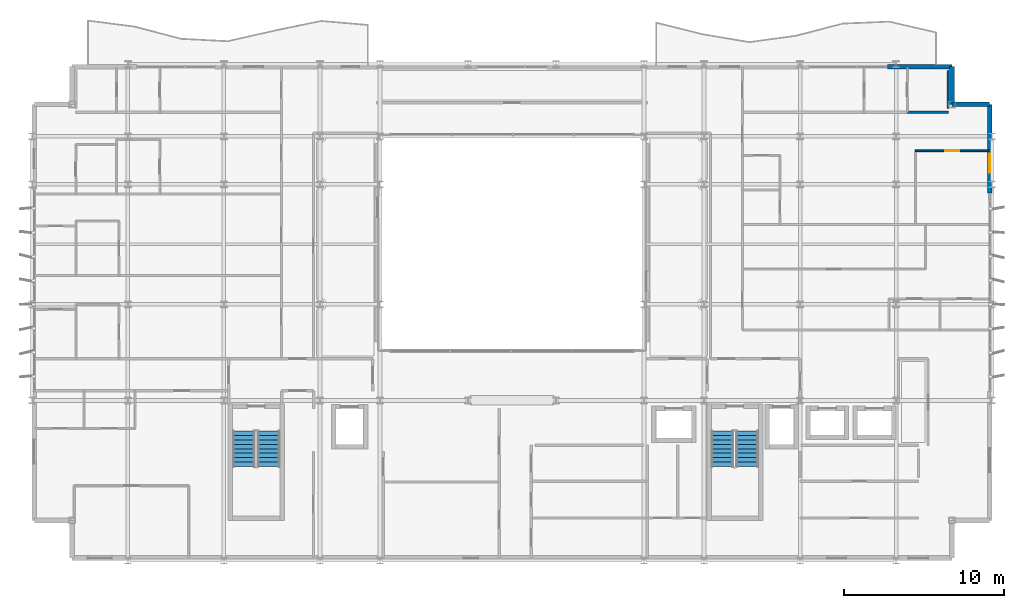
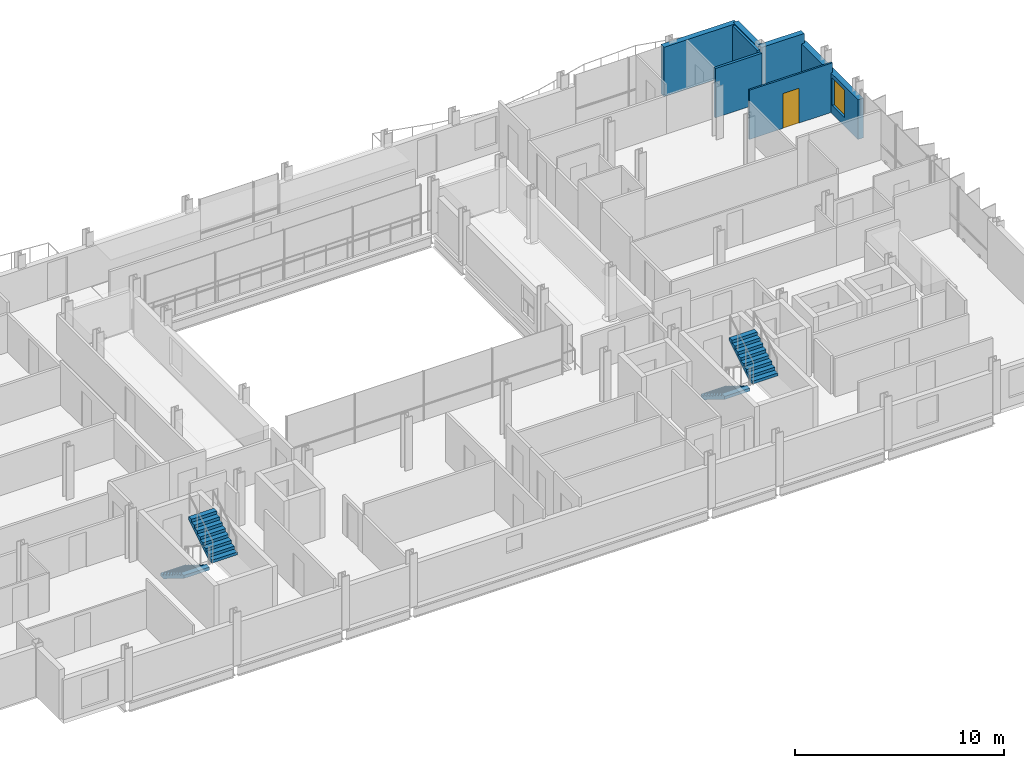
# One storey, part 34 of 39: 7 walls, 4 stair flights, 1 door, 1 window, 2 openings, 2 elements without a shape of their own.
"""IFC4 building model written with IfcOpenShell, lengths in metres."""

from ifc_helpers import new_model, si_unit, direction, frame, frame_2d, origin, place, context, subcontext, project, spatial, polyline, rectangle, outline, extrude, material, layer, layer_set, type_object, element, fill, aggregate, save


model = new_model("IFC4")

# Units and contexts
model_context = context("Model", 3, precision=1e-05, world=origin(), true_north=direction((0.0, 1.0)))
body_context = subcontext(model_context, "Body", "Model", "MODEL_VIEW")
ifc_project = project(units=[si_unit("LENGTHUNIT", "METRE"), si_unit("AREAUNIT", "SQUARE_METRE"), si_unit("VOLUMEUNIT", "CUBIC_METRE"), si_unit("PLANEANGLEUNIT", "RADIAN"), si_unit("MASSUNIT", "GRAM", prefix="KILO")], contexts=[model_context])

# Site, building, storey
site_placement = place(None, origin())
site = spatial("IfcSite", under=ifc_project, at=site_placement, CompositionType="ELEMENT")
building_placement = place(site_placement, origin())
building = spatial("IfcBuilding", under=site, at=building_placement, Name="Brevholm Reach", CompositionType="ELEMENT")
storey_placement = place(building_placement, frame((0.0, 0.0, 154.199951171875)))
storey = spatial("IfcBuildingStorey", under=building, at=storey_placement, Name="L46", CompositionType="ELEMENT", Elevation=154.199951171875)

# Walls
ifc_material_1 = material(Name="Concrete C40/50", Category="concrete")
ifc_layer_1 = layer(ifc_material_1, 0.300048828125)
ifc_layer_set_1 = layer_set([ifc_layer_1], Name="Concrete C40/50")
wall_type_1 = type_object("IfcWallType", Name="WAL-EXT-300", PredefinedType="STANDARD", material=ifc_layer_set_1)
for number, where, z_axis, x_axis, name in (
    (1, (59.85009765625, 28.5, 0.0), (0.0, 0.0, 1.0), (-1.0, 0.0, 0.0), "L46 Facade Wall WAL-L46-CNE1"),
    (2, (57.5, 28.5, 0.0), (0.0, 0.0, 1.0), (0.0, 1.0, 0.0), "L46 Facade Wall WAL-L46-CNE2"),
):
    element("IfcWall", number, at=place(storey_placement, frame(where, z_axis=z_axis, x_axis=x_axis)), inside=storey, type_object=wall_type_1, Name=name, PredefinedType="STANDARD", context=body_context, shape_type="SweptSolid", body=[
        extrude(rectangle(XDim=2.35009765625, YDim=0.300048828125, at=frame_2d((1.175048828125, 0.0))), origin(), (0.0, 0.0, 1.0), 2.880126953125),
    ])

# Wall, opening, window
wall_1_placement = place(storey_placement, frame((59.85009765625, 22.949951171875, 0.0), z_axis=(0.0, 0.0, 1.0), x_axis=(0.0, 1.0, 0.0)))
wall_1 = element("IfcWall", 3, at=wall_1_placement, inside=storey, type_object=wall_type_1, Name="L46 Facade Wall WAL-L46-E-N", PredefinedType="STANDARD", context=body_context, shape_type="SweptSolid", body=[
    extrude(rectangle(XDim=5.550048828125, YDim=0.300048828125, at=frame_2d((2.77490234375, 0.0))), origin(), (0.0, 0.0, 1.0), 2.322021484375),
])
opening_1_placement = place(wall_1_placement, frame((1.27001953125, 0.0, 0.501953125)))
opening_1 = element("IfcOpeningElement", 4, at=opening_1_placement, cuts=wall_1, Name="Opening WN-08", PredefinedType="OPENING", context=body_context, shape_type="SweptSolid", body=[
    extrude(rectangle(XDim=1.199951171875, YDim=1.60009765625, at=frame_2d((0.60009765625, 0.800048828125))), frame((0.0, 0.159912109375, 0.0), z_axis=(0.0, -1.0, 0.0), x_axis=(1.0, 0.0, 0.0)), (0.0, 0.0, 1.0), 0.320068359375),
])
ifc_material_2 = material(Name="Dark Anodised Aluminium and Solar-Control IGU Glass", Category="aluminium")
window_type = type_object("IfcWindowType", Name="WIN-RES-1200", PartitioningType="SINGLE_PANEL", PredefinedType="WINDOW", material=ifc_material_2)
window_placement = place(opening_1_placement, origin())
window = element("IfcWindow", 5, at=window_placement, inside=storey, type_object=window_type, Name="L46 Window WIN-L46-EN-1", OverallHeight=1.60009765625, OverallWidth=1.199951171875, PartitioningType="SINGLE_PANEL", PredefinedType="WINDOW", context=body_context, shape_type="SweptSolid", body=[
    extrude(rectangle(XDim=1.199951171875, YDim=1.60009765625, at=frame_2d((0.60009765625, 0.800048828125))), frame((0.0, 0.030029296875, 0.0), z_axis=(0.0, -1.0, 0.0), x_axis=(1.0, 0.0, 0.0)), (0.0, 0.0, 1.0), 0.06005859375),
])
fill(opening_1, window)

# Wall
wall_2_placement = place(storey_placement, frame((53.449951171875, 30.85009765625, 0.0), z_axis=(0.0, 0.0, 1.0), x_axis=(1.0, 0.0, 0.0)))
element("IfcWall", 6, at=wall_2_placement, inside=storey, type_object=wall_type_1, Name="L46 Facade Wall WAL-L46-NP-E0", PredefinedType="STANDARD", context=body_context, shape_type="SweptSolid", body=[
    extrude(rectangle(XDim=4.050048828125, YDim=0.300048828125, at=frame_2d((2.02490234375, 0.0))), origin(), (0.0, 0.0, 1.0), 2.880126953125),
])

# Wall, opening, door
ifc_material_3 = material(Name="Moisture-Resistant Acoustic Gypsum Stud Partition 100 mm", Category="gypsum")
ifc_layer_2 = layer(ifc_material_3, 0.10009765625)
ifc_layer_set_2 = layer_set([ifc_layer_2], Name="Moisture-Resistant Acoustic Gypsum Stud Partition 100 mm")
wall_type_2 = type_object("IfcWallType", Name="WAL-PRT-100", PredefinedType="PARTITIONING", material=ifc_layer_set_2)
wall_3_placement = place(storey_placement, frame((55.199951171875, 25.60009765625, 0.0), z_axis=(0.0, 0.0, 1.0), x_axis=(1.0, 0.0, 0.0)))
wall_3 = element("IfcWall", 7, at=wall_3_placement, inside=storey, type_object=wall_type_2, Name="L46 Internal Partition 109", PredefinedType="PARTITIONING", context=body_context, shape_type="SweptSolid", body=[
    extrude(rectangle(XDim=4.60009765625, YDim=0.10009765625, at=frame_2d((2.300048828125, 0.0))), origin(), (0.0, 0.0, 1.0), 2.880126953125),
])
opening_2_placement = place(wall_3_placement, frame((1.860107421875, 0.0, 0.0)))
opening_2 = element("IfcOpeningElement", 8, at=opening_2_placement, cuts=wall_3, Name="Opening ID-01", PredefinedType="OPENING", context=body_context, shape_type="SweptSolid", body=[
    extrude(rectangle(XDim=0.8798828125, YDim=2.0400390625, at=frame_2d((0.43994140625, 1.02001953125))), frame((0.0, 0.06005859375, 0.0), z_axis=(0.0, -1.0, 0.0), x_axis=(1.0, 0.0, 0.0)), (0.0, 0.0, 1.0), 0.1201171875),
])
ifc_material_4 = material(Name="Lacquered Ash Solid-Core Acoustic Internal Door", Category="timber")
door_type = type_object("IfcDoorType", Name="DOR-INT-880", OperationType="NOTDEFINED", PredefinedType="DOOR", material=ifc_material_4)
door_placement = place(opening_2_placement, origin())
door = element("IfcDoor", 9, at=door_placement, inside=storey, type_object=door_type, Name="L46 Internal Door 045", OperationType="SINGLE_SWING_LEFT", OverallHeight=2.0400390625, OverallWidth=0.8798828125, PredefinedType="DOOR", context=body_context, shape_type="SweptSolid", body=[
    extrude(rectangle(XDim=0.8798828125, YDim=2.0400390625, at=frame_2d((0.43994140625, 1.02001953125))), frame((0.0, 0.02490234375, 0.0), z_axis=(0.0, -1.0, 0.0), x_axis=(1.0, 0.0, 0.0)), (0.0, 0.0, 1.0), 0.050048828125),
])
fill(opening_2, door)

# Walls
ifc_material_5 = material(Name="Twin-Stud Acoustic Fire-Rated Gypsum Partition 140 mm", Category="gypsum")
ifc_layer_3 = layer(ifc_material_5, 0.139892578125)
ifc_layer_set_3 = layer_set([ifc_layer_3], Name="Twin-Stud Acoustic Fire-Rated Gypsum Partition 140 mm")
wall_type_3 = type_object("IfcWallType", Name="WAL-PRT-140", PredefinedType="PARTITIONING", material=ifc_layer_set_3)
wall_4_placement = place(storey_placement, frame((54.688720703125, 28.0, 0.0), z_axis=(0.0, 0.0, 1.0), x_axis=(1.0, 0.0, 0.0)))
element("IfcWall", 10, at=wall_4_placement, inside=storey, type_object=wall_type_3, Name="L46 Internal Partition 111", PredefinedType="PARTITIONING", context=body_context, shape_type="SweptSolid", body=[
    extrude(rectangle(XDim=2.572509765625, YDim=0.139892578125, at=frame_2d((1.2861328125, 0.0))), origin(), (0.0, 0.0, 1.0), 2.880126953125),
])
wall_5_placement = place(storey_placement, frame((57.25, 28.239990234375, 0.0), z_axis=(0.0, 0.0, 1.0), x_axis=(0.0, 1.0, 0.0)))
element("IfcWall", 11, at=wall_5_placement, inside=storey, type_object=wall_type_3, Name="L46 Internal Partition 123", PredefinedType="PARTITIONING", context=body_context, shape_type="SweptSolid", body=[
    extrude(rectangle(XDim=2.3701171875, YDim=0.139892578125, at=frame_2d((1.18505859375, 0.0))), origin(), (0.0, 0.0, 1.0), 2.880126953125),
])

# Stair, stair flights
ifc_material_6 = material(Name="Precast Concrete C40/50", Category="concrete")
stair_type = type_object("IfcStairType", Name="STR-ESC-1400", PredefinedType="DOUBLE_RETURN_STAIR", material=ifc_material_6)
stair_1_placement = place(storey_placement, origin())
stair_1 = element("IfcStair", 12, at=stair_1_placement, inside=storey, type_object=stair_type, Name="L46 ST-1", PredefinedType="DOUBLE_RETURN_STAIR")
ifc_material_7 = material(Name="Precast Concrete C40/50", Category="concrete")
ifc_layer_4 = layer(ifc_material_7, 0.18505859375)
ifc_layer_set_4 = layer_set([ifc_layer_4], Name="Precast Concrete C40/50")
stair_flight_type = type_object("IfcStairFlightType", Name="STF-PRC-185", PredefinedType="STRAIGHT", material=ifc_layer_set_4)
stair_flight_1_placement = place(storey_placement, frame((13.25, 8.10009765625, 0.0), z_axis=(0.0, 0.0, 1.0), x_axis=(0.0, -1.0, 0.0)))
stair_flight_1 = element("IfcStairFlight", 13, at=stair_flight_1_placement, type_object=stair_flight_type, Name="ST-1 flight 1", NumberOfRisers=9, NumberOfTreads=8, PredefinedType="STRAIGHT", RiserHeight=0.172222222, TreadLength=0.28, context=body_context, shape_type="SweptSolid", body=[
    extrude(outline(polyline([(0.0, 0.0), (0.0, 0.172119140625), (0.280029296875, 0.172119140625), (0.280029296875, 0.344482421875), (0.56005859375, 0.344482421875), (0.56005859375, 0.5166015625), (0.840087890625, 0.5166015625), (0.840087890625, 0.68896484375), (1.1201171875, 0.68896484375), (1.1201171875, 0.861083984375), (1.39990234375, 0.861083984375), (1.39990234375, 1.033447265625), (1.679931640625, 1.033447265625), (1.679931640625, 1.20556640625), (1.9599609375, 1.20556640625), (1.9599609375, 1.377685546875), (2.239990234375, 1.377685546875), (2.239990234375, 1.550048828125), (2.239990234375, 1.201904296875), (0.2861328125, 0.0), (0.0, 0.0)])), frame((0.0, 0.699951171875, 0.0), z_axis=(0.0, -1.0, 0.0), x_axis=(1.0, 0.0, 0.0)), (0.0, 0.0, 1.0), 1.39990234375),
])
stair_flight_2_placement = place(storey_placement, frame((14.800048828125, 5.860107421875, 1.550048828125), z_axis=(0.0, 0.0, 1.0), x_axis=(0.0, 1.0, 0.0)))
stair_flight_2 = element("IfcStairFlight", 14, at=stair_flight_2_placement, type_object=stair_flight_type, Name="ST-1 flight 2", NumberOfRisers=9, NumberOfTreads=8, PredefinedType="STRAIGHT", RiserHeight=0.172222222, TreadLength=0.28, context=body_context, shape_type="SweptSolid", body=[
    extrude(outline(polyline([(0.0, 0.0), (0.0, 0.172119140625), (0.280029296875, 0.172119140625), (0.280029296875, 0.344482421875), (0.56005859375, 0.344482421875), (0.56005859375, 0.5166015625), (0.840087890625, 0.5166015625), (0.840087890625, 0.68896484375), (1.1201171875, 0.68896484375), (1.1201171875, 0.861083984375), (1.39990234375, 0.861083984375), (1.39990234375, 1.033447265625), (1.679931640625, 1.033447265625), (1.679931640625, 1.20556640625), (1.9599609375, 1.20556640625), (1.9599609375, 1.377685546875), (2.239990234375, 1.377685546875), (2.239990234375, 1.550048828125), (2.239990234375, 1.201904296875), (0.2861328125, 0.0), (0.0, 0.0)])), frame((0.0, 0.699951171875, 0.0), z_axis=(0.0, -1.0, 0.0), x_axis=(1.0, 0.0, 0.0)), (0.0, 0.0, 1.0), 1.39990234375),
])
aggregate(stair_1, [stair_flight_1, stair_flight_2])

stair_2_placement = place(storey_placement, origin())
stair_2 = element("IfcStair", 15, at=stair_2_placement, inside=storey, type_object=stair_type, Name="L46 ST-2", PredefinedType="DOUBLE_RETURN_STAIR")
stair_flight_3_placement = place(storey_placement, frame((43.14990234375, 8.10009765625, 0.0), z_axis=(0.0, 0.0, 1.0), x_axis=(0.0, -1.0, 0.0)))
stair_flight_3 = element("IfcStairFlight", 16, at=stair_flight_3_placement, type_object=stair_flight_type, Name="ST-2 flight 1", NumberOfRisers=9, NumberOfTreads=8, PredefinedType="STRAIGHT", RiserHeight=0.172222222, TreadLength=0.28, context=body_context, shape_type="SweptSolid", body=[
    extrude(outline(polyline([(0.0, 0.0), (0.0, 0.172119140625), (0.280029296875, 0.172119140625), (0.280029296875, 0.344482421875), (0.56005859375, 0.344482421875), (0.56005859375, 0.5166015625), (0.840087890625, 0.5166015625), (0.840087890625, 0.68896484375), (1.1201171875, 0.68896484375), (1.1201171875, 0.861083984375), (1.39990234375, 0.861083984375), (1.39990234375, 1.033447265625), (1.679931640625, 1.033447265625), (1.679931640625, 1.20556640625), (1.9599609375, 1.20556640625), (1.9599609375, 1.377685546875), (2.239990234375, 1.377685546875), (2.239990234375, 1.550048828125), (2.239990234375, 1.201904296875), (0.2861328125, 0.0), (0.0, 0.0)])), frame((0.0, 0.699951171875, 0.0), z_axis=(0.0, -1.0, 0.0), x_axis=(1.0, 0.0, 0.0)), (0.0, 0.0, 1.0), 1.39990234375),
])
stair_flight_4_placement = place(storey_placement, frame((44.699951171875, 5.860107421875, 1.550048828125), z_axis=(0.0, 0.0, 1.0), x_axis=(0.0, 1.0, 0.0)))
stair_flight_4 = element("IfcStairFlight", 17, at=stair_flight_4_placement, type_object=stair_flight_type, Name="ST-2 flight 2", NumberOfRisers=9, NumberOfTreads=8, PredefinedType="STRAIGHT", RiserHeight=0.172222222, TreadLength=0.28, context=body_context, shape_type="SweptSolid", body=[
    extrude(outline(polyline([(0.0, 0.0), (0.0, 0.172119140625), (0.280029296875, 0.172119140625), (0.280029296875, 0.344482421875), (0.56005859375, 0.344482421875), (0.56005859375, 0.5166015625), (0.840087890625, 0.5166015625), (0.840087890625, 0.68896484375), (1.1201171875, 0.68896484375), (1.1201171875, 0.861083984375), (1.39990234375, 0.861083984375), (1.39990234375, 1.033447265625), (1.679931640625, 1.033447265625), (1.679931640625, 1.20556640625), (1.9599609375, 1.20556640625), (1.9599609375, 1.377685546875), (2.239990234375, 1.377685546875), (2.239990234375, 1.550048828125), (2.239990234375, 1.201904296875), (0.2861328125, 0.0), (0.0, 0.0)])), frame((0.0, 0.699951171875, 0.0), z_axis=(0.0, -1.0, 0.0), x_axis=(1.0, 0.0, 0.0)), (0.0, 0.0, 1.0), 1.39990234375),
])
aggregate(stair_2, [stair_flight_3, stair_flight_4])

save(model, "model.ifc")
